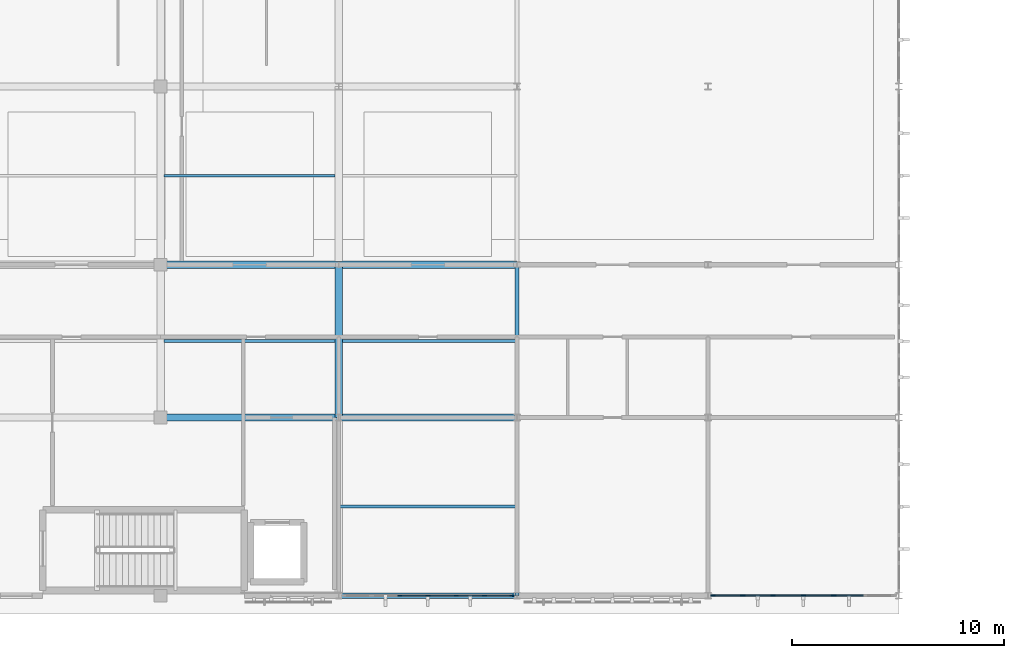
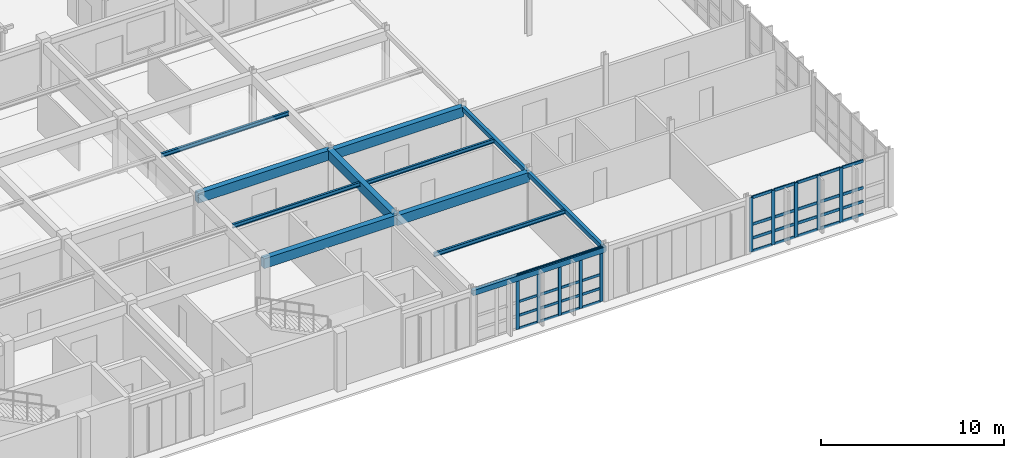
# One storey, part 13 of 67: 46 members, 12 beams, 2 elements without a shape of their own.
"""IFC4 building model written with IfcOpenShell, lengths in metres."""

from ifc_helpers import new_model, si_unit, direction, frame, origin, origin_2d, place, context, subcontext, project, spatial, rectangle, hollow_rectangle, i_section, extrude, material, material_profile, profile_set, type_object, element, aggregate, save


model = new_model("IFC4")

# Units and contexts
model_context = context("Model", 3, precision=1e-05, world=origin(), true_north=direction((0.0, 1.0)))
body_context = subcontext(model_context, "Body", "Model", "MODEL_VIEW")
ifc_project = project(units=[si_unit("LENGTHUNIT", "METRE"), si_unit("AREAUNIT", "SQUARE_METRE"), si_unit("VOLUMEUNIT", "CUBIC_METRE"), si_unit("PLANEANGLEUNIT", "RADIAN"), si_unit("MASSUNIT", "GRAM", prefix="KILO")], contexts=[model_context])

# Site, building, storey
site_placement = place(None, origin())
site = spatial("IfcSite", under=ifc_project, at=site_placement, CompositionType="ELEMENT")
building_placement = place(site_placement, origin())
building = spatial("IfcBuilding", under=site, at=building_placement, Name="Tizgana Railside Sports Hall", CompositionType="ELEMENT")
storey_placement = place(building_placement, frame((0.0, 0.0, 12.0)))
storey = spatial("IfcBuildingStorey", under=building, at=storey_placement, Name="L02", CompositionType="ELEMENT", Elevation=12.0)

# Beams
ifc_material_1 = material(Name="Concrete C35/45", Category="concrete")
ifc_material_profile_1 = material_profile(ifc_material_1, rectangle(XDim=0.35009765625, YDim=0.64990234375, at=origin_2d()), Name="RCB 350x650")
ifc_profile_set_1 = profile_set([ifc_material_profile_1], Name="Concrete C35/45")
beam_type_1 = type_object("IfcBeamType", Name="Concrete Beam RCB 350x650", PredefinedType="BEAM", material=ifc_profile_set_1)
beam_1_placement = place(storey_placement, frame((71.39990234375, 8.39990234375, 3.31103515625), z_axis=(0.0, 1.0, 0.0), x_axis=(-1.0, 0.0, 0.0)))
element("IfcBeam", 1, at=beam_1_placement, inside=storey, type_object=beam_type_1, Name="L02 BEM-0627", PredefinedType="BEAM", context=body_context, shape_type="SweptSolid", body=[
    extrude(rectangle(XDim=0.35009765625, YDim=0.64990234375, at=origin_2d()), origin(), (0.0, 0.0, 1.0), 7.2001953125),
])
for number, where, z_axis, x_axis, name in (
    (2, (63.0, 8.39990234375, 3.31103515625), (1.0, 0.0, 0.0), (0.0, 1.0, 0.0), "L02 BEM-0687"),
    (3, (63.0, 15.60009765625, 3.31103515625), (1.0, 0.0, 0.0), (0.0, 1.0, 0.0), "L02 BEM-0688"),
):
    element("IfcBeam", number, at=place(storey_placement, frame(where, z_axis=z_axis, x_axis=x_axis)), inside=storey, type_object=beam_type_1, Name=name, PredefinedType="BEAM", context=body_context, shape_type="SweptSolid", body=[
        extrude(rectangle(XDim=0.35009765625, YDim=0.64990234375, at=origin_2d()), origin(), (0.0, 0.0, 1.0), 8.39990234375),
    ])
for number, where, z_axis, x_axis, name in (
    (4, (71.39990234375, 8.39990234375, 3.240966796875), (1.0, 0.0, 0.0), (0.0, 1.0, 0.0), "L02 BEM-0695"),
    (5, (71.39990234375, 15.60009765625, 3.240966796875), (1.0, 0.0, 0.0), (0.0, 1.0, 0.0), "L02 BEM-0696"),
):
    element("IfcBeam", number, at=place(storey_placement, frame(where, z_axis=z_axis, x_axis=x_axis)), inside=storey, type_object=beam_type_1, Name=name, PredefinedType="BEAM", context=body_context, shape_type="SweptSolid", body=[
        extrude(rectangle(XDim=0.35009765625, YDim=0.64990234375, at=origin_2d()), origin(), (0.0, 0.0, 1.0), 8.400146484375),
    ])

# Curtain wall, members
ifc_material_2 = material(Name="Anodised aluminium and glass", Category="aluminium")
curtain_wall_type_1 = type_object("IfcCurtainWallType", Name="Unitised Curtain Wall Foyer 1300", PredefinedType="NOTDEFINED", material=ifc_material_2)
curtain_wall_1_placement = place(storey_placement, origin())
curtain_wall_1 = element("IfcCurtainWall", 6, at=curtain_wall_1_placement, inside=storey, type_object=curtain_wall_type_1, Name="L02 Curtain Wall CW-0105", PredefinedType="NOTDEFINED")
ifc_material_3 = material(Name="Anodised aluminium", Category="aluminium")
ifc_material_profile_2 = material_profile(ifc_material_3, rectangle(XDim=0.06494140625, YDim=0.199951171875, at=origin_2d()), Name="Mullion 65x200")
ifc_profile_set_2 = profile_set([ifc_material_profile_2], Name="Anodised aluminium")
member_type_1 = type_object("IfcMemberType", Name="Mullion 65x200", PredefinedType="MULLION", material=ifc_profile_set_2)
member_1_placement = place(storey_placement, frame((79.5625, 0.0, 0.0), z_axis=(0.0, 0.0, 1.0), x_axis=(0.0, -1.0, 0.0)))
member_1 = element("IfcMember", 7, at=member_1_placement, type_object=member_type_1, Name="CW-02 mullion 1", PredefinedType="MULLION", context=body_context, shape_type="SweptSolid", body=[
    extrude(rectangle(XDim=0.06494140625, YDim=0.199951171875, at=origin_2d()), origin(), (0.0, 0.0, 1.0), 3.639892578125),
])
member_2_placement = place(storey_placement, frame((78.263427734375, 0.0, 0.0), z_axis=(0.0, 0.0, 1.0), x_axis=(0.0, -1.0, 0.0)))
member_2 = element("IfcMember", 8, at=member_2_placement, type_object=member_type_1, Name="CW-02 mullion 2", PredefinedType="MULLION", context=body_context, shape_type="SweptSolid", body=[
    extrude(rectangle(XDim=0.06494140625, YDim=0.199951171875, at=origin_2d()), origin(), (0.0, 0.0, 1.0), 3.639892578125),
])
member_3_placement = place(storey_placement, frame((76.931640625, 0.0, 0.0), z_axis=(0.0, 0.0, 1.0), x_axis=(0.0, -1.0, 0.0)))
member_3 = element("IfcMember", 9, at=member_3_placement, type_object=member_type_1, Name="CW-02 mullion 3", PredefinedType="MULLION", context=body_context, shape_type="SweptSolid", body=[
    extrude(rectangle(XDim=0.06494140625, YDim=0.199951171875, at=origin_2d()), origin(), (0.0, 0.0, 1.0), 3.639892578125),
])
member_4_placement = place(storey_placement, frame((75.60009765625, 0.0, 0.0), z_axis=(0.0, 0.0, 1.0), x_axis=(0.0, -1.0, 0.0)))
member_4 = element("IfcMember", 10, at=member_4_placement, type_object=member_type_1, Name="CW-02 mullion 4", PredefinedType="MULLION", context=body_context, shape_type="SweptSolid", body=[
    extrude(rectangle(XDim=0.06494140625, YDim=0.199951171875, at=origin_2d()), origin(), (0.0, 0.0, 1.0), 3.639892578125),
])
member_5_placement = place(storey_placement, frame((74.268310546875, 0.0, 0.0), z_axis=(0.0, 0.0, 1.0), x_axis=(0.0, -1.0, 0.0)))
member_5 = element("IfcMember", 11, at=member_5_placement, type_object=member_type_1, Name="CW-02 mullion 5", PredefinedType="MULLION", context=body_context, shape_type="SweptSolid", body=[
    extrude(rectangle(XDim=0.06494140625, YDim=0.199951171875, at=origin_2d()), origin(), (0.0, 0.0, 1.0), 3.639892578125),
])

curtain_wall_type_2 = type_object("IfcCurtainWallType", Name="Unitised Curtain Wall Studio 1400", PredefinedType="NOTDEFINED", material=ifc_material_2)
curtain_wall_2_placement = place(storey_placement, origin())
curtain_wall_2 = element("IfcCurtainWall", 12, at=curtain_wall_2_placement, inside=storey, type_object=curtain_wall_type_2, Name="L02 Curtain Wall CW-0106", PredefinedType="NOTDEFINED")
ifc_material_profile_3 = material_profile(ifc_material_3, rectangle(XDim=0.070068359375, YDim=0.219970703125, at=origin_2d()), Name="Mullion 70x220")
ifc_profile_set_3 = profile_set([ifc_material_profile_3], Name="Anodised aluminium")
member_type_2 = type_object("IfcMemberType", Name="Mullion 70x220", PredefinedType="MULLION", material=ifc_profile_set_3)
member_6_placement = place(storey_placement, frame((94.731689453125, 0.0, 0.0), z_axis=(0.0, 0.0, 1.0), x_axis=(0.0, -1.0, 0.0)))
member_6 = element("IfcMember", 13, at=member_6_placement, type_object=member_type_2, Name="CW-03 mullion 3", PredefinedType="MULLION", context=body_context, shape_type="SweptSolid", body=[
    extrude(rectangle(XDim=0.070068359375, YDim=0.219970703125, at=origin_2d()), origin(), (0.0, 0.0, 1.0), 3.639892578125),
])
member_7_placement = place(storey_placement, frame((93.300048828125, 0.0, 0.0), z_axis=(0.0, 0.0, 1.0), x_axis=(0.0, -1.0, 0.0)))
member_7 = element("IfcMember", 14, at=member_7_placement, type_object=member_type_2, Name="CW-03 mullion 4", PredefinedType="MULLION", context=body_context, shape_type="SweptSolid", body=[
    extrude(rectangle(XDim=0.070068359375, YDim=0.219970703125, at=origin_2d()), origin(), (0.0, 0.0, 1.0), 3.639892578125),
])
member_8_placement = place(storey_placement, frame((91.868408203125, 0.0, 0.0), z_axis=(0.0, 0.0, 1.0), x_axis=(0.0, -1.0, 0.0)))
member_8 = element("IfcMember", 15, at=member_8_placement, type_object=member_type_2, Name="CW-03 mullion 5", PredefinedType="MULLION", context=body_context, shape_type="SweptSolid", body=[
    extrude(rectangle(XDim=0.070068359375, YDim=0.219970703125, at=origin_2d()), origin(), (0.0, 0.0, 1.0), 3.639892578125),
])
member_9_placement = place(storey_placement, frame((90.436767578125, 0.0, 0.0), z_axis=(0.0, 0.0, 1.0), x_axis=(0.0, -1.0, 0.0)))
member_9 = element("IfcMember", 16, at=member_9_placement, type_object=member_type_2, Name="CW-03 mullion 6", PredefinedType="MULLION", context=body_context, shape_type="SweptSolid", body=[
    extrude(rectangle(XDim=0.070068359375, YDim=0.219970703125, at=origin_2d()), origin(), (0.0, 0.0, 1.0), 3.639892578125),
])
member_10_placement = place(storey_placement, frame((89.0400390625, 0.0, 0.0), z_axis=(0.0, 0.0, 1.0), x_axis=(0.0, -1.0, 0.0)))
member_10 = element("IfcMember", 17, at=member_10_placement, type_object=member_type_2, Name="CW-03 mullion 7", PredefinedType="MULLION", context=body_context, shape_type="SweptSolid", body=[
    extrude(rectangle(XDim=0.070068359375, YDim=0.219970703125, at=origin_2d()), origin(), (0.0, 0.0, 1.0), 3.639892578125),
])

# Beams
ifc_material_4 = material(Name="Steel S355J2", Category="steel")
ifc_material_profile_4 = material_profile(ifc_material_4, i_section(OverallWidth=0.1298828125, OverallDepth=0.27001953125, WebThickness=0.006591796875, FlangeThickness=0.01025390625, FilletRadius=0.014892578125, at=origin_2d()), Name="IPE 270")
ifc_profile_set_4 = profile_set([ifc_material_profile_4], Name="Steel S355J2")
beam_type_2 = type_object("IfcBeamType", Name="Steel Joist IPE 270", PredefinedType="JOIST", material=ifc_profile_set_4)
for number, where, z_axis, x_axis, name in (
    (18, (63.169921875, 12.0, 3.5009765625), (1.0, 0.0, 0.0), (0.0, 1.0, 0.0), "L02 BEM-0691"),
    (19, (63.169921875, 19.800048828125, 3.5009765625), (1.0, 0.0, 0.0), (0.0, 1.0, 0.0), "L02 BEM-0692"),
):
    element("IfcBeam", number, at=place(storey_placement, frame(where, z_axis=z_axis, x_axis=x_axis)), inside=storey, type_object=beam_type_2, Name=name, PredefinedType="JOIST", context=body_context, shape_type="SweptSolid", body=[
        extrude(i_section(OverallWidth=0.1298828125, OverallDepth=0.27001953125, WebThickness=0.006591796875, FlangeThickness=0.01025390625, FilletRadius=0.014892578125, at=origin_2d()), origin(), (0.0, 0.0, 1.0), 8.06005859375),
    ])
beam_2_placement = place(storey_placement, frame((71.39990234375, 4.199951171875, 3.430908203125), z_axis=(1.0, 0.0, 0.0), x_axis=(0.0, 1.0, 0.0)))
element("IfcBeam", 20, at=beam_2_placement, inside=storey, type_object=beam_type_2, Name="L02 BEM-0699", PredefinedType="JOIST", context=body_context, shape_type="SweptSolid", body=[
    extrude(i_section(OverallWidth=0.1298828125, OverallDepth=0.27001953125, WebThickness=0.006591796875, FlangeThickness=0.01025390625, FilletRadius=0.014892578125, at=origin_2d()), origin(), (0.0, 0.0, 1.0), 8.400146484375),
])
beam_3_placement = place(storey_placement, frame((71.570068359375, 12.0, 3.430908203125), z_axis=(1.0, 0.0, 0.0), x_axis=(0.0, 1.0, 0.0)))
element("IfcBeam", 21, at=beam_3_placement, inside=storey, type_object=beam_type_2, Name="L02 BEM-0700", PredefinedType="JOIST", context=body_context, shape_type="SweptSolid", body=[
    extrude(i_section(OverallWidth=0.1298828125, OverallDepth=0.27001953125, WebThickness=0.006591796875, FlangeThickness=0.01025390625, FilletRadius=0.014892578125, at=origin_2d()), origin(), (0.0, 0.0, 1.0), 8.22998046875),
])
ifc_material_profile_5 = material_profile(ifc_material_4, hollow_rectangle(XDim=0.199951171875, YDim=0.300048828125, WallThickness=0.010009765625, at=origin_2d()), Name="RHS 300x200x10")
ifc_profile_set_5 = profile_set([ifc_material_profile_5], Name="Steel S355J2")
beam_type_3 = type_object("IfcBeamType", Name="Steel Spandrel RHS 300x200x10", PredefinedType="SPANDREL", material=ifc_profile_set_5)
beam_4_placement = place(storey_placement, frame((79.800048828125, 0.0, 3.416015625), z_axis=(0.0, 1.0, 0.0), x_axis=(-1.0, 0.0, 0.0)))
element("IfcBeam", 22, at=beam_4_placement, inside=storey, type_object=beam_type_3, Name="L02 BEM-0630", PredefinedType="SPANDREL", context=body_context, shape_type="SweptSolid", body=[
    extrude(hollow_rectangle(XDim=0.199951171875, YDim=0.300048828125, WallThickness=0.010009765625, at=origin_2d()), origin(), (0.0, 0.0, 1.0), 8.39990234375),
])
beam_5_placement = place(storey_placement, frame((79.800048828125, 8.39990234375, 3.416015625), z_axis=(0.0, 1.0, 0.0), x_axis=(-1.0, 0.0, 0.0)))
element("IfcBeam", 23, at=beam_5_placement, inside=storey, type_object=beam_type_3, Name="L02 BEM-0631", PredefinedType="SPANDREL", context=body_context, shape_type="SweptSolid", body=[
    extrude(hollow_rectangle(XDim=0.199951171875, YDim=0.300048828125, WallThickness=0.010009765625, at=origin_2d()), origin(), (0.0, 0.0, 1.0), 7.2001953125),
])
ifc_material_profile_6 = material_profile(ifc_material_4, hollow_rectangle(XDim=0.25, YDim=0.35009765625, WallThickness=0.011962890625, at=origin_2d()), Name="RHS 350x250x12")
ifc_profile_set_6 = profile_set([ifc_material_profile_6], Name="Steel S355J2")
beam_type_4 = type_object("IfcBeamType", Name="Steel Spandrel RHS 350x250x12", PredefinedType="SPANDREL", material=ifc_profile_set_6)
beam_6_placement = place(storey_placement, frame((71.39990234375, 0.0, 3.4609375), z_axis=(1.0, 0.0, 0.0), x_axis=(0.0, 1.0, 0.0)))
element("IfcBeam", 24, at=beam_6_placement, inside=storey, type_object=beam_type_4, Name="L02 BEM-0694", PredefinedType="SPANDREL", context=body_context, shape_type="SweptSolid", body=[
    extrude(hollow_rectangle(XDim=0.25, YDim=0.35009765625, WallThickness=0.011962890625, at=origin_2d()), origin(), (0.0, 0.0, 1.0), 8.400146484375),
])

# Member
ifc_material_profile_7 = material_profile(ifc_material_3, rectangle(XDim=0.06494140625, YDim=0.169921875, at=origin_2d()), Name="Transom 65x170")
ifc_profile_set_7 = profile_set([ifc_material_profile_7], Name="Anodised aluminium")
member_type_3 = type_object("IfcMemberType", Name="Transom 65x170", PredefinedType="USERDEFINED", material=ifc_profile_set_7)
member_11_placement = place(storey_placement, frame((79.530029296875, 0.0, 0.032470703125), z_axis=(-1.0, 0.0, 0.0), x_axis=(0.0, -1.0, 0.0)))
member_11 = element("IfcMember", 25, at=member_11_placement, type_object=member_type_3, Name="CW-02 transom 1.1", ObjectType="TRANSOM", PredefinedType="USERDEFINED", context=body_context, shape_type="SweptSolid", body=[
    extrude(rectangle(XDim=0.06494140625, YDim=0.169921875, at=origin_2d()), origin(), (0.0, 0.0, 1.0), 1.234130859375),
])

member_12_placement = place(storey_placement, frame((79.530029296875, 0.0, 0.89990234375), z_axis=(-1.0, 0.0, 0.0), x_axis=(0.0, -1.0, 0.0)))
member_12 = element("IfcMember", 26, at=member_12_placement, type_object=member_type_3, Name="CW-02 transom 1.2", ObjectType="TRANSOM", PredefinedType="USERDEFINED", context=body_context, shape_type="SweptSolid", body=[
    extrude(rectangle(XDim=0.06494140625, YDim=0.169921875, at=origin_2d()), origin(), (0.0, 0.0, 1.0), 1.234130859375),
])

member_13_placement = place(storey_placement, frame((79.530029296875, 0.0, 1.820068359375), z_axis=(-1.0, 0.0, 0.0), x_axis=(0.0, -1.0, 0.0)))
member_13 = element("IfcMember", 27, at=member_13_placement, type_object=member_type_3, Name="CW-02 transom 1.3", ObjectType="TRANSOM", PredefinedType="USERDEFINED", context=body_context, shape_type="SweptSolid", body=[
    extrude(rectangle(XDim=0.06494140625, YDim=0.169921875, at=origin_2d()), origin(), (0.0, 0.0, 1.0), 1.234130859375),
])

member_14_placement = place(storey_placement, frame((79.530029296875, 0.0, 3.607421875), z_axis=(-1.0, 0.0, 0.0), x_axis=(0.0, -1.0, 0.0)))
member_14 = element("IfcMember", 28, at=member_14_placement, type_object=member_type_3, Name="CW-02 transom 1.4", ObjectType="TRANSOM", PredefinedType="USERDEFINED", context=body_context, shape_type="SweptSolid", body=[
    extrude(rectangle(XDim=0.06494140625, YDim=0.169921875, at=origin_2d()), origin(), (0.0, 0.0, 1.0), 1.234130859375),
])

member_15_placement = place(storey_placement, frame((78.230712890625, 0.0, 0.032470703125), z_axis=(-1.0, 0.0, 0.0), x_axis=(0.0, -1.0, 0.0)))
member_15 = element("IfcMember", 29, at=member_15_placement, type_object=member_type_3, Name="CW-02 transom 2.1", ObjectType="TRANSOM", PredefinedType="USERDEFINED", context=body_context, shape_type="SweptSolid", body=[
    extrude(rectangle(XDim=0.06494140625, YDim=0.169921875, at=origin_2d()), origin(), (0.0, 0.0, 1.0), 1.2666015625),
])

member_16_placement = place(storey_placement, frame((78.230712890625, 0.0, 0.89990234375), z_axis=(-1.0, 0.0, 0.0), x_axis=(0.0, -1.0, 0.0)))
member_16 = element("IfcMember", 30, at=member_16_placement, type_object=member_type_3, Name="CW-02 transom 2.2", ObjectType="TRANSOM", PredefinedType="USERDEFINED", context=body_context, shape_type="SweptSolid", body=[
    extrude(rectangle(XDim=0.06494140625, YDim=0.169921875, at=origin_2d()), origin(), (0.0, 0.0, 1.0), 1.2666015625),
])

member_17_placement = place(storey_placement, frame((78.230712890625, 0.0, 1.820068359375), z_axis=(-1.0, 0.0, 0.0), x_axis=(0.0, -1.0, 0.0)))
member_17 = element("IfcMember", 31, at=member_17_placement, type_object=member_type_3, Name="CW-02 transom 2.3", ObjectType="TRANSOM", PredefinedType="USERDEFINED", context=body_context, shape_type="SweptSolid", body=[
    extrude(rectangle(XDim=0.06494140625, YDim=0.169921875, at=origin_2d()), origin(), (0.0, 0.0, 1.0), 1.2666015625),
])

member_18_placement = place(storey_placement, frame((78.230712890625, 0.0, 3.607421875), z_axis=(-1.0, 0.0, 0.0), x_axis=(0.0, -1.0, 0.0)))
member_18 = element("IfcMember", 32, at=member_18_placement, type_object=member_type_3, Name="CW-02 transom 2.4", ObjectType="TRANSOM", PredefinedType="USERDEFINED", context=body_context, shape_type="SweptSolid", body=[
    extrude(rectangle(XDim=0.06494140625, YDim=0.169921875, at=origin_2d()), origin(), (0.0, 0.0, 1.0), 1.2666015625),
])

member_19_placement = place(storey_placement, frame((76.899169921875, 0.0, 0.032470703125), z_axis=(-1.0, 0.0, 0.0), x_axis=(0.0, -1.0, 0.0)))
member_19 = element("IfcMember", 33, at=member_19_placement, type_object=member_type_3, Name="CW-02 transom 3.1", ObjectType="TRANSOM", PredefinedType="USERDEFINED", context=body_context, shape_type="SweptSolid", body=[
    extrude(rectangle(XDim=0.06494140625, YDim=0.169921875, at=origin_2d()), origin(), (0.0, 0.0, 1.0), 1.2666015625),
])

member_20_placement = place(storey_placement, frame((76.899169921875, 0.0, 0.89990234375), z_axis=(-1.0, 0.0, 0.0), x_axis=(0.0, -1.0, 0.0)))
member_20 = element("IfcMember", 34, at=member_20_placement, type_object=member_type_3, Name="CW-02 transom 3.2", ObjectType="TRANSOM", PredefinedType="USERDEFINED", context=body_context, shape_type="SweptSolid", body=[
    extrude(rectangle(XDim=0.06494140625, YDim=0.169921875, at=origin_2d()), origin(), (0.0, 0.0, 1.0), 1.2666015625),
])

member_21_placement = place(storey_placement, frame((76.899169921875, 0.0, 1.820068359375), z_axis=(-1.0, 0.0, 0.0), x_axis=(0.0, -1.0, 0.0)))
member_21 = element("IfcMember", 35, at=member_21_placement, type_object=member_type_3, Name="CW-02 transom 3.3", ObjectType="TRANSOM", PredefinedType="USERDEFINED", context=body_context, shape_type="SweptSolid", body=[
    extrude(rectangle(XDim=0.06494140625, YDim=0.169921875, at=origin_2d()), origin(), (0.0, 0.0, 1.0), 1.2666015625),
])

member_22_placement = place(storey_placement, frame((76.899169921875, 0.0, 3.607421875), z_axis=(-1.0, 0.0, 0.0), x_axis=(0.0, -1.0, 0.0)))
member_22 = element("IfcMember", 36, at=member_22_placement, type_object=member_type_3, Name="CW-02 transom 3.4", ObjectType="TRANSOM", PredefinedType="USERDEFINED", context=body_context, shape_type="SweptSolid", body=[
    extrude(rectangle(XDim=0.06494140625, YDim=0.169921875, at=origin_2d()), origin(), (0.0, 0.0, 1.0), 1.2666015625),
])

member_23_placement = place(storey_placement, frame((75.5673828125, 0.0, 0.032470703125), z_axis=(-1.0, 0.0, 0.0), x_axis=(0.0, -1.0, 0.0)))
member_23 = element("IfcMember", 37, at=member_23_placement, type_object=member_type_3, Name="CW-02 transom 4.1", ObjectType="TRANSOM", PredefinedType="USERDEFINED", context=body_context, shape_type="SweptSolid", body=[
    extrude(rectangle(XDim=0.06494140625, YDim=0.169921875, at=origin_2d()), origin(), (0.0, 0.0, 1.0), 1.2666015625),
])

member_24_placement = place(storey_placement, frame((75.5673828125, 0.0, 0.89990234375), z_axis=(-1.0, 0.0, 0.0), x_axis=(0.0, -1.0, 0.0)))
member_24 = element("IfcMember", 38, at=member_24_placement, type_object=member_type_3, Name="CW-02 transom 4.2", ObjectType="TRANSOM", PredefinedType="USERDEFINED", context=body_context, shape_type="SweptSolid", body=[
    extrude(rectangle(XDim=0.06494140625, YDim=0.169921875, at=origin_2d()), origin(), (0.0, 0.0, 1.0), 1.2666015625),
])

member_25_placement = place(storey_placement, frame((75.5673828125, 0.0, 1.820068359375), z_axis=(-1.0, 0.0, 0.0), x_axis=(0.0, -1.0, 0.0)))
member_25 = element("IfcMember", 39, at=member_25_placement, type_object=member_type_3, Name="CW-02 transom 4.3", ObjectType="TRANSOM", PredefinedType="USERDEFINED", context=body_context, shape_type="SweptSolid", body=[
    extrude(rectangle(XDim=0.06494140625, YDim=0.169921875, at=origin_2d()), origin(), (0.0, 0.0, 1.0), 1.2666015625),
])

member_26_placement = place(storey_placement, frame((75.5673828125, 0.0, 3.607421875), z_axis=(-1.0, 0.0, 0.0), x_axis=(0.0, -1.0, 0.0)))
member_26 = element("IfcMember", 40, at=member_26_placement, type_object=member_type_3, Name="CW-02 transom 4.4", ObjectType="TRANSOM", PredefinedType="USERDEFINED", context=body_context, shape_type="SweptSolid", body=[
    extrude(rectangle(XDim=0.06494140625, YDim=0.169921875, at=origin_2d()), origin(), (0.0, 0.0, 1.0), 1.2666015625),
])

aggregate(curtain_wall_1, [member_1, member_2, member_3, member_4, member_5, member_11, member_12, member_13, member_14, member_15, member_16, member_17, member_18, member_19, member_20, member_21, member_22, member_23, member_24, member_25, member_26])

ifc_material_profile_8 = material_profile(ifc_material_3, rectangle(XDim=0.070068359375, YDim=0.18994140625, at=origin_2d()), Name="Transom 70x190")
ifc_profile_set_8 = profile_set([ifc_material_profile_8], Name="Anodised aluminium")
member_type_4 = type_object("IfcMemberType", Name="Transom 70x190", PredefinedType="USERDEFINED", material=ifc_profile_set_8)
member_27_placement = place(storey_placement, frame((96.12841796875, 0.0, 0.034912109375), z_axis=(-1.0, 0.0, 0.0), x_axis=(0.0, -1.0, 0.0)))
member_27 = element("IfcMember", 41, at=member_27_placement, type_object=member_type_4, Name="CW-03 transom 2.1", ObjectType="TRANSOM", PredefinedType="USERDEFINED", context=body_context, shape_type="SweptSolid", body=[
    extrude(rectangle(XDim=0.070068359375, YDim=0.18994140625, at=origin_2d()), origin(), (0.0, 0.0, 1.0), 1.36181640625),
])

member_28_placement = place(storey_placement, frame((96.12841796875, 0.0, 0.89990234375), z_axis=(-1.0, 0.0, 0.0), x_axis=(0.0, -1.0, 0.0)))
member_28 = element("IfcMember", 42, at=member_28_placement, type_object=member_type_4, Name="CW-03 transom 2.2", ObjectType="TRANSOM", PredefinedType="USERDEFINED", context=body_context, shape_type="SweptSolid", body=[
    extrude(rectangle(XDim=0.070068359375, YDim=0.18994140625, at=origin_2d()), origin(), (0.0, 0.0, 1.0), 1.36181640625),
])

member_29_placement = place(storey_placement, frame((96.12841796875, 0.0, 1.820068359375), z_axis=(-1.0, 0.0, 0.0), x_axis=(0.0, -1.0, 0.0)))
member_29 = element("IfcMember", 43, at=member_29_placement, type_object=member_type_4, Name="CW-03 transom 2.3", ObjectType="TRANSOM", PredefinedType="USERDEFINED", context=body_context, shape_type="SweptSolid", body=[
    extrude(rectangle(XDim=0.070068359375, YDim=0.18994140625, at=origin_2d()), origin(), (0.0, 0.0, 1.0), 1.36181640625),
])

member_30_placement = place(storey_placement, frame((96.12841796875, 0.0, 3.60498046875), z_axis=(-1.0, 0.0, 0.0), x_axis=(0.0, -1.0, 0.0)))
member_30 = element("IfcMember", 44, at=member_30_placement, type_object=member_type_4, Name="CW-03 transom 2.4", ObjectType="TRANSOM", PredefinedType="USERDEFINED", context=body_context, shape_type="SweptSolid", body=[
    extrude(rectangle(XDim=0.070068359375, YDim=0.18994140625, at=origin_2d()), origin(), (0.0, 0.0, 1.0), 1.36181640625),
])

member_31_placement = place(storey_placement, frame((94.69677734375, 0.0, 0.034912109375), z_axis=(-1.0, 0.0, 0.0), x_axis=(0.0, -1.0, 0.0)))
member_31 = element("IfcMember", 45, at=member_31_placement, type_object=member_type_4, Name="CW-03 transom 3.1", ObjectType="TRANSOM", PredefinedType="USERDEFINED", context=body_context, shape_type="SweptSolid", body=[
    extrude(rectangle(XDim=0.070068359375, YDim=0.18994140625, at=origin_2d()), origin(), (0.0, 0.0, 1.0), 1.36181640625),
])

member_32_placement = place(storey_placement, frame((94.69677734375, 0.0, 0.89990234375), z_axis=(-1.0, 0.0, 0.0), x_axis=(0.0, -1.0, 0.0)))
member_32 = element("IfcMember", 46, at=member_32_placement, type_object=member_type_4, Name="CW-03 transom 3.2", ObjectType="TRANSOM", PredefinedType="USERDEFINED", context=body_context, shape_type="SweptSolid", body=[
    extrude(rectangle(XDim=0.070068359375, YDim=0.18994140625, at=origin_2d()), origin(), (0.0, 0.0, 1.0), 1.36181640625),
])

member_33_placement = place(storey_placement, frame((94.69677734375, 0.0, 1.820068359375), z_axis=(-1.0, 0.0, 0.0), x_axis=(0.0, -1.0, 0.0)))
member_33 = element("IfcMember", 47, at=member_33_placement, type_object=member_type_4, Name="CW-03 transom 3.3", ObjectType="TRANSOM", PredefinedType="USERDEFINED", context=body_context, shape_type="SweptSolid", body=[
    extrude(rectangle(XDim=0.070068359375, YDim=0.18994140625, at=origin_2d()), origin(), (0.0, 0.0, 1.0), 1.36181640625),
])

member_34_placement = place(storey_placement, frame((94.69677734375, 0.0, 3.60498046875), z_axis=(-1.0, 0.0, 0.0), x_axis=(0.0, -1.0, 0.0)))
member_34 = element("IfcMember", 48, at=member_34_placement, type_object=member_type_4, Name="CW-03 transom 3.4", ObjectType="TRANSOM", PredefinedType="USERDEFINED", context=body_context, shape_type="SweptSolid", body=[
    extrude(rectangle(XDim=0.070068359375, YDim=0.18994140625, at=origin_2d()), origin(), (0.0, 0.0, 1.0), 1.36181640625),
])

member_35_placement = place(storey_placement, frame((93.264892578125, 0.0, 0.034912109375), z_axis=(-1.0, 0.0, 0.0), x_axis=(0.0, -1.0, 0.0)))
member_35 = element("IfcMember", 49, at=member_35_placement, type_object=member_type_4, Name="CW-03 transom 4.1", ObjectType="TRANSOM", PredefinedType="USERDEFINED", context=body_context, shape_type="SweptSolid", body=[
    extrude(rectangle(XDim=0.070068359375, YDim=0.18994140625, at=origin_2d()), origin(), (0.0, 0.0, 1.0), 1.361572265625),
])

member_36_placement = place(storey_placement, frame((93.264892578125, 0.0, 0.89990234375), z_axis=(-1.0, 0.0, 0.0), x_axis=(0.0, -1.0, 0.0)))
member_36 = element("IfcMember", 50, at=member_36_placement, type_object=member_type_4, Name="CW-03 transom 4.2", ObjectType="TRANSOM", PredefinedType="USERDEFINED", context=body_context, shape_type="SweptSolid", body=[
    extrude(rectangle(XDim=0.070068359375, YDim=0.18994140625, at=origin_2d()), origin(), (0.0, 0.0, 1.0), 1.361572265625),
])

member_37_placement = place(storey_placement, frame((93.264892578125, 0.0, 1.820068359375), z_axis=(-1.0, 0.0, 0.0), x_axis=(0.0, -1.0, 0.0)))
member_37 = element("IfcMember", 51, at=member_37_placement, type_object=member_type_4, Name="CW-03 transom 4.3", ObjectType="TRANSOM", PredefinedType="USERDEFINED", context=body_context, shape_type="SweptSolid", body=[
    extrude(rectangle(XDim=0.070068359375, YDim=0.18994140625, at=origin_2d()), origin(), (0.0, 0.0, 1.0), 1.361572265625),
])

member_38_placement = place(storey_placement, frame((93.264892578125, 0.0, 3.60498046875), z_axis=(-1.0, 0.0, 0.0), x_axis=(0.0, -1.0, 0.0)))
member_38 = element("IfcMember", 52, at=member_38_placement, type_object=member_type_4, Name="CW-03 transom 4.4", ObjectType="TRANSOM", PredefinedType="USERDEFINED", context=body_context, shape_type="SweptSolid", body=[
    extrude(rectangle(XDim=0.070068359375, YDim=0.18994140625, at=origin_2d()), origin(), (0.0, 0.0, 1.0), 1.361572265625),
])

member_39_placement = place(storey_placement, frame((91.833251953125, 0.0, 0.034912109375), z_axis=(-1.0, 0.0, 0.0), x_axis=(0.0, -1.0, 0.0)))
member_39 = element("IfcMember", 53, at=member_39_placement, type_object=member_type_4, Name="CW-03 transom 5.1", ObjectType="TRANSOM", PredefinedType="USERDEFINED", context=body_context, shape_type="SweptSolid", body=[
    extrude(rectangle(XDim=0.070068359375, YDim=0.18994140625, at=origin_2d()), origin(), (0.0, 0.0, 1.0), 1.361572265625),
])

member_40_placement = place(storey_placement, frame((91.833251953125, 0.0, 0.89990234375), z_axis=(-1.0, 0.0, 0.0), x_axis=(0.0, -1.0, 0.0)))
member_40 = element("IfcMember", 54, at=member_40_placement, type_object=member_type_4, Name="CW-03 transom 5.2", ObjectType="TRANSOM", PredefinedType="USERDEFINED", context=body_context, shape_type="SweptSolid", body=[
    extrude(rectangle(XDim=0.070068359375, YDim=0.18994140625, at=origin_2d()), origin(), (0.0, 0.0, 1.0), 1.361572265625),
])

member_41_placement = place(storey_placement, frame((91.833251953125, 0.0, 1.820068359375), z_axis=(-1.0, 0.0, 0.0), x_axis=(0.0, -1.0, 0.0)))
member_41 = element("IfcMember", 55, at=member_41_placement, type_object=member_type_4, Name="CW-03 transom 5.3", ObjectType="TRANSOM", PredefinedType="USERDEFINED", context=body_context, shape_type="SweptSolid", body=[
    extrude(rectangle(XDim=0.070068359375, YDim=0.18994140625, at=origin_2d()), origin(), (0.0, 0.0, 1.0), 1.361572265625),
])

member_42_placement = place(storey_placement, frame((91.833251953125, 0.0, 3.60498046875), z_axis=(-1.0, 0.0, 0.0), x_axis=(0.0, -1.0, 0.0)))
member_42 = element("IfcMember", 56, at=member_42_placement, type_object=member_type_4, Name="CW-03 transom 5.4", ObjectType="TRANSOM", PredefinedType="USERDEFINED", context=body_context, shape_type="SweptSolid", body=[
    extrude(rectangle(XDim=0.070068359375, YDim=0.18994140625, at=origin_2d()), origin(), (0.0, 0.0, 1.0), 1.361572265625),
])

member_43_placement = place(storey_placement, frame((90.401611328125, 0.0, 0.034912109375), z_axis=(-1.0, 0.0, 0.0), x_axis=(0.0, -1.0, 0.0)))
member_43 = element("IfcMember", 57, at=member_43_placement, type_object=member_type_4, Name="CW-03 transom 6.1", ObjectType="TRANSOM", PredefinedType="USERDEFINED", context=body_context, shape_type="SweptSolid", body=[
    extrude(rectangle(XDim=0.070068359375, YDim=0.18994140625, at=origin_2d()), origin(), (0.0, 0.0, 1.0), 1.32666015625),
])

member_44_placement = place(storey_placement, frame((90.401611328125, 0.0, 0.89990234375), z_axis=(-1.0, 0.0, 0.0), x_axis=(0.0, -1.0, 0.0)))
member_44 = element("IfcMember", 58, at=member_44_placement, type_object=member_type_4, Name="CW-03 transom 6.2", ObjectType="TRANSOM", PredefinedType="USERDEFINED", context=body_context, shape_type="SweptSolid", body=[
    extrude(rectangle(XDim=0.070068359375, YDim=0.18994140625, at=origin_2d()), origin(), (0.0, 0.0, 1.0), 1.32666015625),
])

member_45_placement = place(storey_placement, frame((90.401611328125, 0.0, 1.820068359375), z_axis=(-1.0, 0.0, 0.0), x_axis=(0.0, -1.0, 0.0)))
member_45 = element("IfcMember", 59, at=member_45_placement, type_object=member_type_4, Name="CW-03 transom 6.3", ObjectType="TRANSOM", PredefinedType="USERDEFINED", context=body_context, shape_type="SweptSolid", body=[
    extrude(rectangle(XDim=0.070068359375, YDim=0.18994140625, at=origin_2d()), origin(), (0.0, 0.0, 1.0), 1.32666015625),
])

member_46_placement = place(storey_placement, frame((90.401611328125, 0.0, 3.60498046875), z_axis=(-1.0, 0.0, 0.0), x_axis=(0.0, -1.0, 0.0)))
member_46 = element("IfcMember", 60, at=member_46_placement, type_object=member_type_4, Name="CW-03 transom 6.4", ObjectType="TRANSOM", PredefinedType="USERDEFINED", context=body_context, shape_type="SweptSolid", body=[
    extrude(rectangle(XDim=0.070068359375, YDim=0.18994140625, at=origin_2d()), origin(), (0.0, 0.0, 1.0), 1.32666015625),
])

aggregate(curtain_wall_2, [member_6, member_7, member_8, member_9, member_10, member_27, member_28, member_29, member_30, member_31, member_32, member_33, member_34, member_35, member_36, member_37, member_38, member_39, member_40, member_41, member_42, member_43, member_44, member_45, member_46])

save(model, "model.ifc")
